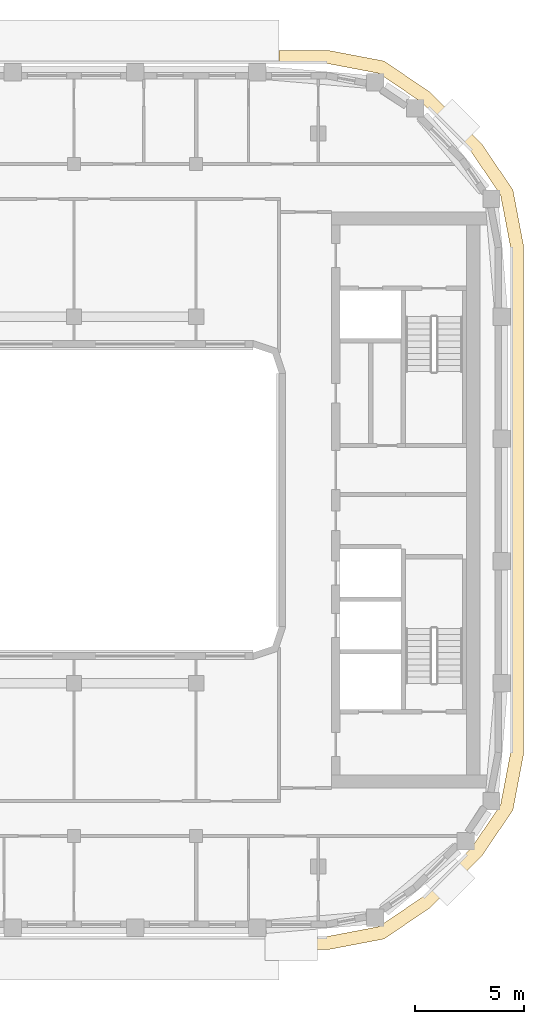
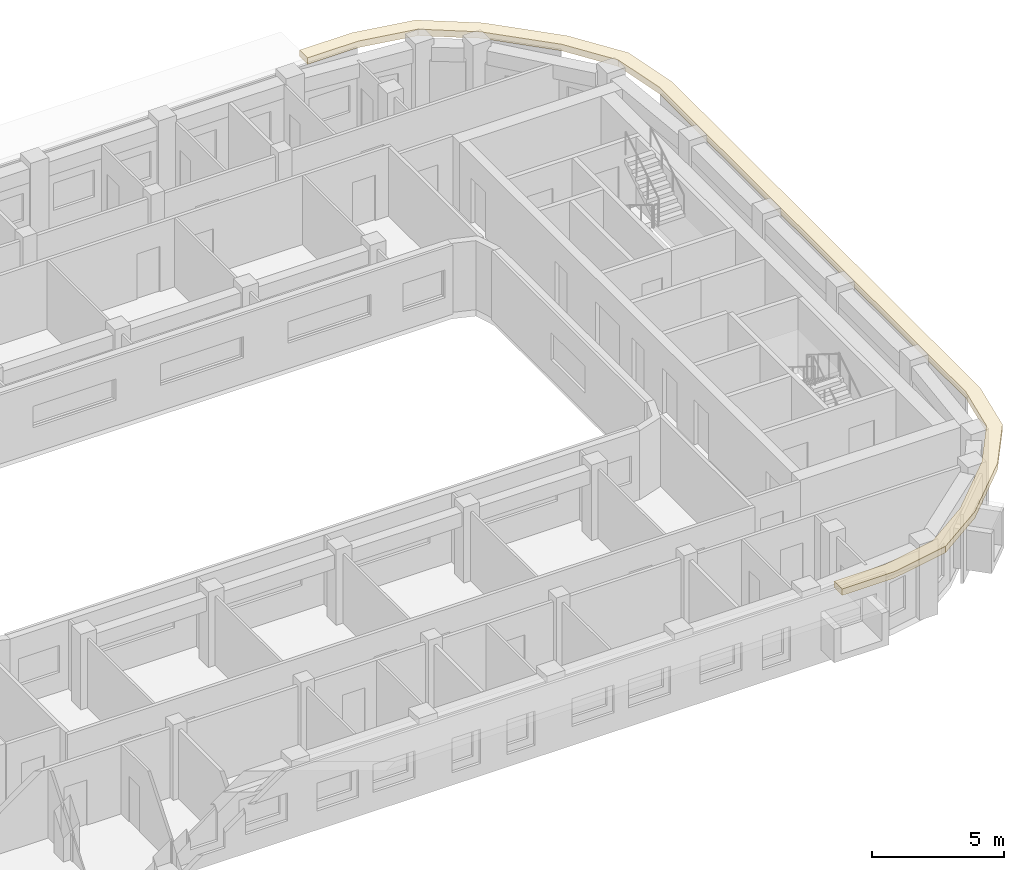
# One storey, part 13 of 15: 1 covering.
"""IFC4 building model written with IfcOpenShell, lengths in metres."""

from ifc_helpers import new_model, si_unit, direction, frame, origin, place, context, subcontext, project, spatial, polyline, outline, extrude, material, layer, layer_set, type_object, element, save


model = new_model("IFC4")

# Units and contexts
model_context = context("Model", 3, precision=1e-05, world=origin(), true_north=direction((0.0, 1.0)))
body_context = subcontext(model_context, "Body", "Model", "MODEL_VIEW")
ifc_project = project(units=[si_unit("LENGTHUNIT", "METRE"), si_unit("AREAUNIT", "SQUARE_METRE"), si_unit("VOLUMEUNIT", "CUBIC_METRE"), si_unit("PLANEANGLEUNIT", "RADIAN"), si_unit("MASSUNIT", "GRAM", prefix="KILO")], contexts=[model_context])

# Site, building, storey
site_placement = place(None, origin())
site = spatial("IfcSite", under=ifc_project, at=site_placement, CompositionType="ELEMENT")
building_placement = place(site_placement, origin())
building = spatial("IfcBuilding", under=site, at=building_placement, Name="Kiln Ring Residences", CompositionType="ELEMENT")
storey_placement = place(building_placement, frame((0.0, 0.0, 248.699951171875)))
storey = spatial("IfcBuildingStorey", under=building, at=storey_placement, Name="L64", CompositionType="ELEMENT", Elevation=248.699951171875)

# Covering
ifc_material = material(Name="Black powder-coated steel", Category="steel")
ifc_layer = layer(ifc_material, 0.300048828125)
ifc_layer_set = layer_set([ifc_layer], Name="SUNSHADE FIN 600")
covering_type = type_object("IfcCoveringType", Name="SUNSHADE FIN 600", PredefinedType="CLADDING", material=ifc_layer_set)
covering_placement = place(storey_placement, frame((0.0, 0.0, 3.199951171875)))
element("IfcCovering", 1, at=covering_placement, inside=storey, type_object=covering_type, Name="SUNSHADE FIN L64", PredefinedType="CLADDING", context=body_context, shape_type="SweptSolid", body=[
    extrude(outline(polyline([(17.29443359375, 20.60009765625), (15.0, 20.60009765625), (15.0, 20.0), (17.23779296875, 20.0), (19.58056640625, 19.552978515625), (21.55322265625, 18.21240234375), (23.8125, 15.953125), (25.153076171875, 13.980712890625), (25.60009765625, 11.6376953125), (25.60009765625, -11.6376953125), (25.153076171875, -13.980712890625), (23.8125, -15.953125), (21.55322265625, -18.21240234375), (19.58056640625, -19.552978515625), (17.23779296875, -20.0), (15.0, -20.0), (15.0, -20.60009765625), (17.29443359375, -20.60009765625), (19.815185546875, -20.119140625), (21.937255859375, -18.677001953125), (24.27685546875, -16.33740234375), (25.71923828125, -14.215087890625), (26.199951171875, -11.694580078125), (26.199951171875, 11.694580078125), (25.71923828125, 14.215087890625), (24.27685546875, 16.33740234375), (21.937255859375, 18.677001953125), (19.815185546875, 20.119140625), (17.29443359375, 20.60009765625)])), origin(), (0.0, 0.0, 1.0), 0.300048828125),
])

save(model, "model.ifc")
